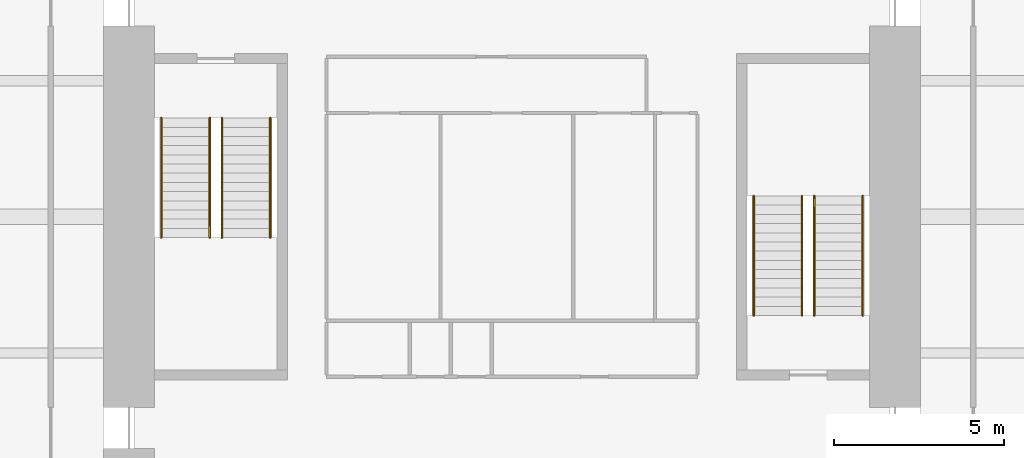
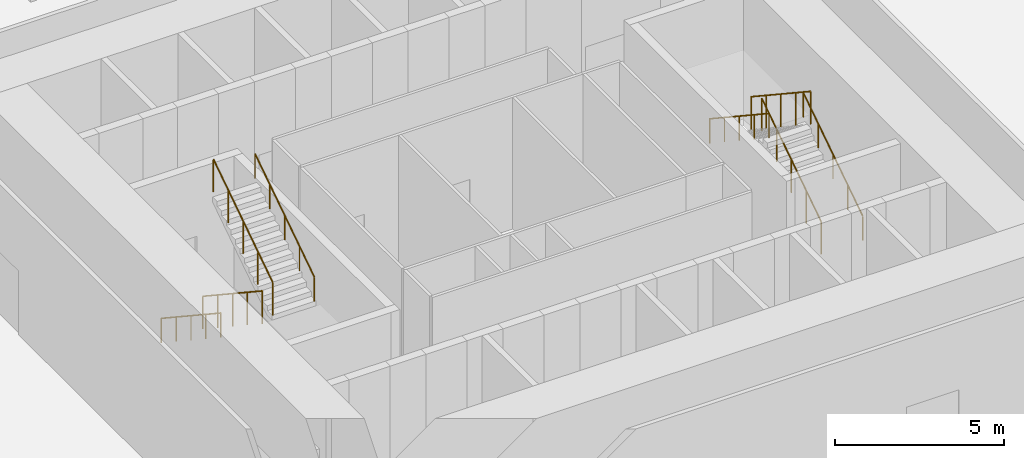
# One storey, part 9 of 9: 8 railings.
"""IFC4 building model written with IfcOpenShell, lengths in metres."""

import ifcopenshell
import ifcopenshell.guid

model = None  # the IFC model being written
_history = None  # IfcOwnerHistory: only IFC2X3 demands one
_inside = {}  # id of a spatial element -> (the spatial element, [elements in it])
_under = {}  # id of a project, library or spatial element -> (it, [spatial elements below it])
_declared = {}  # id of a project -> (the project, [libraries it declares])
_typed = {}  # id of a type object -> (the type object, [elements of that type])
_made_of = {}  # id of a material, layer set ... -> (it, [elements and type objects made of it])


def new_model(schema):
    """Start an empty IFC model of exactly this schema.

    Asked for "IFC4X3", IfcOpenShell would pick the latest addendum, in which some entities
    have other attributes; the version numbers below select the first issue.
    IFC2X3 requires an IfcOwnerHistory on every rooted entity: one is made here for all.
    """
    global model, _history
    if schema == "IFC4X3":
        model = ifcopenshell.file(schema_version=(4, 3, 0, 0))
    else:
        model = ifcopenshell.file(schema=schema)
    _inside.clear()
    _under.clear()
    _declared.clear()
    _typed.clear()
    _made_of.clear()
    _history = None
    if model.schema == "IFC2X3":
        org = make("IfcOrganization", Name="unknown")
        user = make(
            "IfcPersonAndOrganization",
            ThePerson=make("IfcPerson", FamilyName="unknown"),
            TheOrganization=org,
        )
        app = make(
            "IfcApplication",
            ApplicationDeveloper=org,
            Version="unknown",
            ApplicationFullName="unknown",
            ApplicationIdentifier="unknown",
        )
        _history = make(
            "IfcOwnerHistory",
            OwningUser=user,
            OwningApplication=app,
            ChangeAction="ADDED",
            CreationDate=0,
        )
    return model


def make(cls, **values):
    """One entity of the class cls with the attributes given. An attribute that is None is left unset."""
    return model.create_entity(
        cls, **{name: value for name, value in values.items() if value is not None}
    )


def rooted(cls, **values):
    """An entity with a GlobalId (a new one), such as an element, a storey or a relation."""
    return make(cls, GlobalId=ifcopenshell.guid.new(), OwnerHistory=_history, **values)


def si_unit(unit_type, name, prefix=None):
    """IfcSIUnit, for example si_unit("LENGTHUNIT", "METRE", prefix="MILLI")."""
    return make("IfcSIUnit", UnitType=unit_type, Prefix=prefix, Name=name)


def assignment(units):
    """IfcUnitAssignment: the units of a project."""
    return None if units is None else make("IfcUnitAssignment", Units=units)


def point(xyz):
    """IfcCartesianPoint."""
    return None if xyz is None else make("IfcCartesianPoint", Coordinates=xyz)


def direction(xyz):
    """IfcDirection."""
    return None if xyz is None else make("IfcDirection", DirectionRatios=xyz)


def frame(location, z_axis=None, x_axis=None):
    """IfcAxis2Placement3D, a coordinate frame: its origin and axes. An axis left out is left unset."""
    return make(
        "IfcAxis2Placement3D",
        Location=point(location),
        Axis=direction(z_axis),
        RefDirection=direction(x_axis),
    )


def frame_2d(location, x_axis=None):
    """IfcAxis2Placement2D, a coordinate frame in the plane: its origin and x axis."""
    return make(
        "IfcAxis2Placement2D", Location=point(location), RefDirection=direction(x_axis)
    )


def origin():
    """The frame at (0, 0, 0) with its axes left unset."""
    return frame((0.0, 0.0, 0.0))


def origin_2d():
    """The frame at (0, 0) in the plane with its x axis left unset."""
    return frame_2d((0.0, 0.0))


def place(relative_to, where):
    """IfcLocalPlacement: puts the frame where relative to a parent placement (None: the world)."""
    return make(
        "IfcLocalPlacement", PlacementRelTo=relative_to, RelativePlacement=where
    )


def context(
    kind, dimensions, precision=None, world=None, true_north=None, identifier=None
):
    """IfcGeometricRepresentationContext, for example the 3D "Model" context."""
    return make(
        "IfcGeometricRepresentationContext",
        ContextIdentifier=identifier,
        ContextType=kind,
        CoordinateSpaceDimension=dimensions,
        Precision=precision,
        WorldCoordinateSystem=world,
        TrueNorth=true_north,
    )


def subcontext(parent, identifier, kind, view, scale=None):
    """IfcGeometricRepresentationSubContext, for example "Body" below "Model"."""
    return make(
        "IfcGeometricRepresentationSubContext",
        ContextIdentifier=identifier,
        ContextType=kind,
        ParentContext=parent,
        TargetScale=scale,
        TargetView=view,
    )


def project(units=None, contexts=None):
    """IfcProject with its units and contexts."""
    return rooted(
        "IfcProject",
        Name="project",
        RepresentationContexts=contexts,
        UnitsInContext=assignment(units),
    )


def spatial(cls, under=None, at=None, **own):
    """A site, building, storey or space (cls), placed at a placement, below another one or the project."""
    s = rooted(cls, ObjectPlacement=at, **own)
    if under is not None:
        _under.setdefault(under.id(), (under, []))[1].append(s)
    return s


def profile(cls, at=None, kind="AREA", **sizes):
    """A parametric profile (cls). Its sizes go by their IFC names, for example OverallWidth=200.0."""
    return make(cls, ProfileType=kind, Position=at, **sizes)


def circle(**sizes):
    """IfcCircleProfileDef."""
    return profile("IfcCircleProfileDef", **sizes)


def extrude(swept, where, along, depth):
    """IfcExtrudedAreaSolid: the profile swept, set in the frame where, extruded along a direction by depth."""
    return make(
        "IfcExtrudedAreaSolid",
        SweptArea=swept,
        Position=where,
        ExtrudedDirection=direction(along),
        Depth=depth,
    )


def shape(context_of_items, identifier, shape_type, items):
    """IfcShapeRepresentation: the items that make up one representation, for example the "Body"."""
    return make(
        "IfcShapeRepresentation",
        ContextOfItems=context_of_items,
        RepresentationIdentifier=identifier,
        RepresentationType=shape_type,
        Items=items,
    )


def material(Name=None, Category=None):
    """IfcMaterial."""
    return make("IfcMaterial", Name=Name, Category=Category)


def made_of(thing, what):
    """Note that an element or type object is made of a material, layer set ...; save() writes the relation."""
    if what is not None:
        _made_of.setdefault(what.id(), (what, []))[1].append(thing)
    return thing


def type_object(cls, material=None, **own):
    """A type object (cls), such as IfcWallType, which elements share."""
    return made_of(rooted(cls, **own), material)


def element(
    cls,
    number,
    at=None,
    inside=None,
    cuts=None,
    type_object=None,
    material=None,
    context=None,
    identifier="Body",
    shape_type=None,
    held_by="IfcProductDefinitionShape",
    body=None,
    shapes=None,
    **own,
):
    """One element of the class cls, such as IfcWall. Its Tag is "e" and its number.

    at: its placement. inside: the storey or other place that contains it. cuts: it is an
    opening in that element (IfcRelVoidsElement). A single representation is given by context,
    identifier, shape_type and body (its items); several are given by shapes. held_by: the class
    of the entity that holds the representations. save() writes the other relations.
    """
    e = rooted(cls, Tag="e%d" % number, ObjectPlacement=at, **own)
    if body is not None:
        shapes = [shape(context, identifier, shape_type, body)]
    if shapes is not None:
        e.Representation = make(held_by, Representations=shapes)
    if inside is not None:
        _inside.setdefault(inside.id(), (inside, []))[1].append(e)
    if cuts is not None:
        rooted(
            "IfcRelVoidsElement", RelatingBuildingElement=cuts, RelatedOpeningElement=e
        )
    if type_object is not None:
        _typed.setdefault(type_object.id(), (type_object, []))[1].append(e)
    return made_of(e, material)


def aggregate(whole, parts):
    """IfcRelAggregates: a whole, such as a stair, and the parts it consists of."""
    return rooted("IfcRelAggregates", RelatingObject=whole, RelatedObjects=parts)


def save(model, path):
    """Write the relations noted so far, then the file.

    IfcRelAggregates (storeys below a building ...), IfcRelContainedInSpatialStructure (elements
    in a storey), IfcRelDefinesByType, IfcRelAssociatesMaterial and IfcRelDeclares: one each for
    every whole, place, type object, material and project.
    """
    for whole, parts in _under.values():
        aggregate(whole, parts)
    for where, things in _inside.values():
        rooted(
            "IfcRelContainedInSpatialStructure",
            RelatedElements=things,
            RelatingStructure=where,
        )
    for kind, things in _typed.values():
        rooted("IfcRelDefinesByType", RelatedObjects=things, RelatingType=kind)
    for what, things in _made_of.values():
        rooted("IfcRelAssociatesMaterial", RelatedObjects=things, RelatingMaterial=what)
    for by, libraries in _declared.values():
        rooted("IfcRelDeclares", RelatingContext=by, RelatedDefinitions=libraries)
    model.write(path)


model = new_model("IFC4")

# Units and contexts
model_context = context("Model", 3, precision=1e-05, world=origin(), true_north=direction((0.0, 1.0)))
body_context = subcontext(model_context, "Body", "Model", "MODEL_VIEW")
ifc_project = project(units=[si_unit("LENGTHUNIT", "METRE"), si_unit("AREAUNIT", "SQUARE_METRE"), si_unit("VOLUMEUNIT", "CUBIC_METRE"), si_unit("PLANEANGLEUNIT", "RADIAN"), si_unit("MASSUNIT", "GRAM", prefix="KILO")], contexts=[model_context])

# Site, building, storey
site_placement = place(None, origin())
site = spatial("IfcSite", under=ifc_project, at=site_placement, CompositionType="ELEMENT")
building_placement = place(site_placement, origin())
building = spatial("IfcBuilding", under=site, at=building_placement, Name="Peilmerk Tower", CompositionType="ELEMENT")
storey_placement = place(building_placement, frame((0.0, 0.0, 76.0)))
storey = spatial("IfcBuildingStorey", under=building, at=storey_placement, Name="L14", CompositionType="ELEMENT", Elevation=76.0)

# Railings
ifc_material_1 = material(Name="Steel flat bar balustrade", Category="steel")
railing_type_1 = type_object("IfcRailingType", Name="GR1 1200 stair guard", PredefinedType="GUARDRAIL", material=ifc_material_1)
railing_1_placement = place(storey_placement, frame((-8.8798828125, 2.89990234375, 0.178466796875)))
element("IfcRailing", 1, at=railing_1_placement, inside=storey, type_object=railing_type_1, Name="Guard stair 1 L14", PredefinedType="GUARDRAIL", context=body_context, shape_type="SweptSolid", body=[
    extrude(circle(Radius=0.02392578125, at=origin_2d()), frame((0.0, 0.0, 1.17578125), z_axis=(0.0, -0.834070780157, 0.551657442339), x_axis=(1.0, 0.0, 0.0)), (0.0, 0.0, 1.0), 4.208251953125),
    extrude(circle(Radius=0.02099609375, at=origin_2d()), origin(), (0.0, 0.0, 1.0), 1.15185546875),
    extrude(circle(Radius=0.02099609375, at=origin_2d()), frame((0.0, -0.87744140625, 0.580322265625)), (0.0, 0.0, 1.0), 1.15185546875),
    extrude(circle(Radius=0.02099609375, at=origin_2d()), frame((0.0, -1.7548828125, 1.16064453125)), (0.0, 0.0, 1.0), 1.15185546875),
    extrude(circle(Radius=0.02099609375, at=origin_2d()), frame((0.0, -2.632568359375, 1.7412109375)), (0.0, 0.0, 1.0), 1.15185546875),
    extrude(circle(Radius=0.02099609375, at=origin_2d()), frame((0.0, -3.510009765625, 2.321533203125)), (0.0, 0.0, 1.0), 1.15185546875),
])
for number, where, name in (
    (2, (-8.52001953125, -0.610107421875, 2.678466796875), "Guard stair 1 L14"),
    (3, (8.8798828125, -2.89990234375, 0.178466796875), "Guard stair 2 L14"),
):
    element("IfcRailing", number, at=place(storey_placement, frame(where)), inside=storey, type_object=railing_type_1, Name=name, PredefinedType="GUARDRAIL", context=body_context, shape_type="SweptSolid", body=[
        extrude(circle(Radius=0.02392578125, at=origin_2d()), frame((0.0, 0.0, 1.17578125), z_axis=(0.0, 0.834070780157, 0.551657442339), x_axis=(-1.0, 0.0, 0.0)), (0.0, 0.0, 1.0), 4.208251953125),
        extrude(circle(Radius=0.02099609375, at=origin_2d()), origin(), (0.0, 0.0, 1.0), 1.15185546875),
        extrude(circle(Radius=0.02099609375, at=origin_2d()), frame((0.0, 0.87744140625, 0.580322265625)), (0.0, 0.0, 1.0), 1.15185546875),
        extrude(circle(Radius=0.02099609375, at=origin_2d()), frame((0.0, 1.7548828125, 1.16064453125)), (0.0, 0.0, 1.0), 1.15185546875),
        extrude(circle(Radius=0.02099609375, at=origin_2d()), frame((0.0, 2.632568359375, 1.7412109375)), (0.0, 0.0, 1.0), 1.15185546875),
        extrude(circle(Radius=0.02099609375, at=origin_2d()), frame((0.0, 3.510009765625, 2.321533203125)), (0.0, 0.0, 1.0), 1.15185546875),
    ])
railing_2_placement = place(storey_placement, frame((8.52001953125, 0.610107421875, 2.678466796875)))
element("IfcRailing", 4, at=railing_2_placement, inside=storey, type_object=railing_type_1, Name="Guard stair 2 L14", PredefinedType="GUARDRAIL", context=body_context, shape_type="SweptSolid", body=[
    extrude(circle(Radius=0.02392578125, at=origin_2d()), frame((0.0, 0.0, 1.17578125), z_axis=(0.0, -0.834070780157, 0.551657442339), x_axis=(1.0, 0.0, 0.0)), (0.0, 0.0, 1.0), 4.208251953125),
    extrude(circle(Radius=0.02099609375, at=origin_2d()), origin(), (0.0, 0.0, 1.0), 1.15185546875),
    extrude(circle(Radius=0.02099609375, at=origin_2d()), frame((0.0, -0.87744140625, 0.580322265625)), (0.0, 0.0, 1.0), 1.15185546875),
    extrude(circle(Radius=0.02099609375, at=origin_2d()), frame((0.0, -1.7548828125, 1.16064453125)), (0.0, 0.0, 1.0), 1.15185546875),
    extrude(circle(Radius=0.02099609375, at=origin_2d()), frame((0.0, -2.632568359375, 1.7412109375)), (0.0, 0.0, 1.0), 1.15185546875),
    extrude(circle(Radius=0.02099609375, at=origin_2d()), frame((0.0, -3.510009765625, 2.321533203125)), (0.0, 0.0, 1.0), 1.15185546875),
])
ifc_material_2 = material(Name="Stainless steel tube", Category="steel")
railing_type_2 = type_object("IfcRailingType", Name="HR1 900 stair handrail", PredefinedType="HANDRAIL", material=ifc_material_2)
railing_3_placement = place(storey_placement, frame((-10.300048828125, 2.89990234375, 0.178466796875)))
element("IfcRailing", 5, at=railing_3_placement, inside=storey, type_object=railing_type_2, Name="Handrail stair 1 L14", PredefinedType="HANDRAIL", context=body_context, shape_type="SweptSolid", body=[
    extrude(circle(Radius=0.02392578125, at=origin_2d()), frame((0.0, 0.0, 0.8759765625), z_axis=(0.0, -0.834070780157, 0.551657442339), x_axis=(1.0, 0.0, 0.0)), (0.0, 0.0, 1.0), 4.208251953125),
    extrude(circle(Radius=0.02099609375, at=origin_2d()), origin(), (0.0, 0.0, 1.0), 0.851806640625),
    extrude(circle(Radius=0.02099609375, at=origin_2d()), frame((0.0, -0.87744140625, 0.580322265625)), (0.0, 0.0, 1.0), 0.851806640625),
    extrude(circle(Radius=0.02099609375, at=origin_2d()), frame((0.0, -1.7548828125, 1.16064453125)), (0.0, 0.0, 1.0), 0.851806640625),
    extrude(circle(Radius=0.02099609375, at=origin_2d()), frame((0.0, -2.632568359375, 1.7412109375)), (0.0, 0.0, 1.0), 0.851806640625),
    extrude(circle(Radius=0.02099609375, at=origin_2d()), frame((0.0, -3.510009765625, 2.321533203125)), (0.0, 0.0, 1.0), 0.851806640625),
])
for number, where, name in (
    (6, (-7.10009765625, -0.610107421875, 2.678466796875), "Handrail stair 1 L14"),
    (7, (10.300048828125, -2.89990234375, 0.178466796875), "Handrail stair 2 L14"),
):
    element("IfcRailing", number, at=place(storey_placement, frame(where)), inside=storey, type_object=railing_type_2, Name=name, PredefinedType="HANDRAIL", context=body_context, shape_type="SweptSolid", body=[
        extrude(circle(Radius=0.02392578125, at=origin_2d()), frame((0.0, 0.0, 0.8759765625), z_axis=(0.0, 0.834070780157, 0.551657442339), x_axis=(-1.0, 0.0, 0.0)), (0.0, 0.0, 1.0), 4.208251953125),
        extrude(circle(Radius=0.02099609375, at=origin_2d()), origin(), (0.0, 0.0, 1.0), 0.851806640625),
        extrude(circle(Radius=0.02099609375, at=origin_2d()), frame((0.0, 0.87744140625, 0.580322265625)), (0.0, 0.0, 1.0), 0.851806640625),
        extrude(circle(Radius=0.02099609375, at=origin_2d()), frame((0.0, 1.7548828125, 1.16064453125)), (0.0, 0.0, 1.0), 0.851806640625),
        extrude(circle(Radius=0.02099609375, at=origin_2d()), frame((0.0, 2.632568359375, 1.7412109375)), (0.0, 0.0, 1.0), 0.851806640625),
        extrude(circle(Radius=0.02099609375, at=origin_2d()), frame((0.0, 3.510009765625, 2.321533203125)), (0.0, 0.0, 1.0), 0.851806640625),
    ])
railing_4_placement = place(storey_placement, frame((7.10009765625, 0.610107421875, 2.678466796875)))
element("IfcRailing", 8, at=railing_4_placement, inside=storey, type_object=railing_type_2, Name="Handrail stair 2 L14", PredefinedType="HANDRAIL", context=body_context, shape_type="SweptSolid", body=[
    extrude(circle(Radius=0.02392578125, at=origin_2d()), frame((0.0, 0.0, 0.8759765625), z_axis=(0.0, -0.834070780157, 0.551657442339), x_axis=(1.0, 0.0, 0.0)), (0.0, 0.0, 1.0), 4.208251953125),
    extrude(circle(Radius=0.02099609375, at=origin_2d()), origin(), (0.0, 0.0, 1.0), 0.851806640625),
    extrude(circle(Radius=0.02099609375, at=origin_2d()), frame((0.0, -0.87744140625, 0.580322265625)), (0.0, 0.0, 1.0), 0.851806640625),
    extrude(circle(Radius=0.02099609375, at=origin_2d()), frame((0.0, -1.7548828125, 1.16064453125)), (0.0, 0.0, 1.0), 0.851806640625),
    extrude(circle(Radius=0.02099609375, at=origin_2d()), frame((0.0, -2.632568359375, 1.7412109375)), (0.0, 0.0, 1.0), 0.851806640625),
    extrude(circle(Radius=0.02099609375, at=origin_2d()), frame((0.0, -3.510009765625, 2.321533203125)), (0.0, 0.0, 1.0), 0.851806640625),
])

save(model, "model.ifc")
